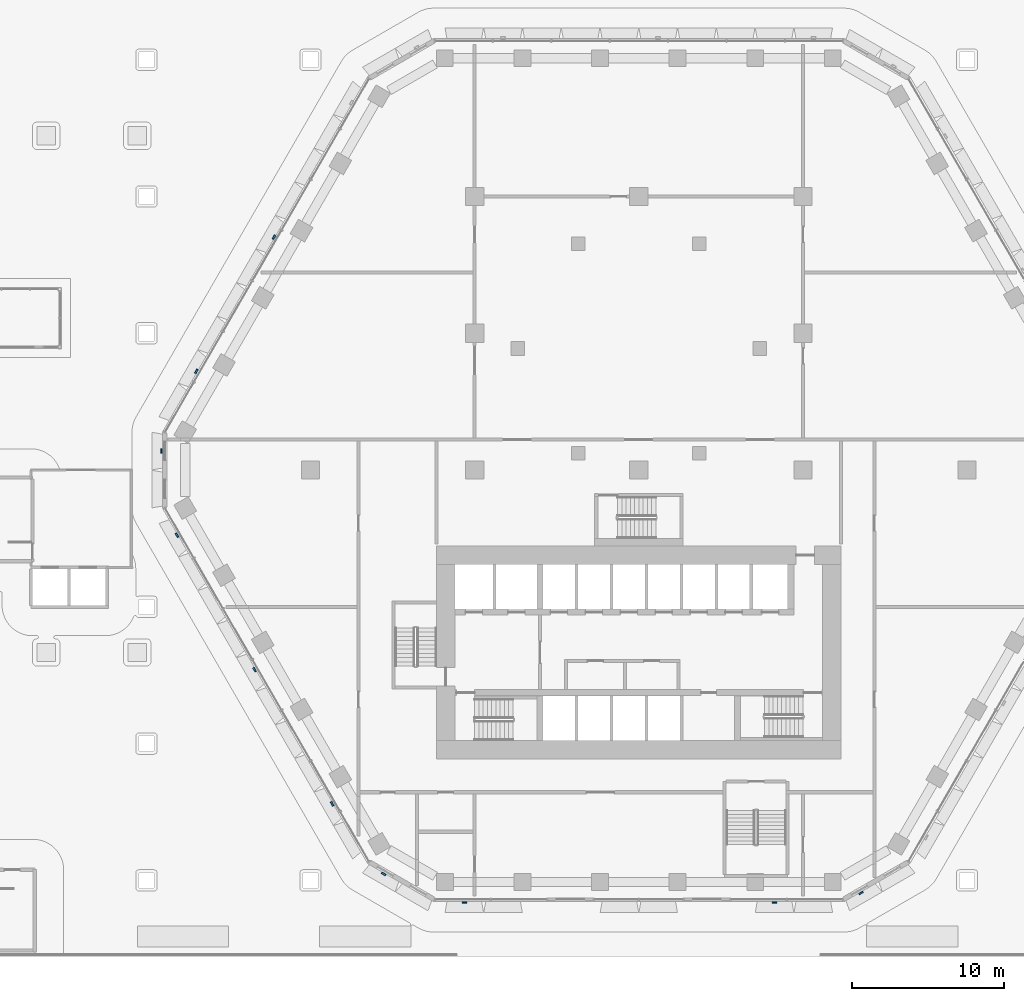
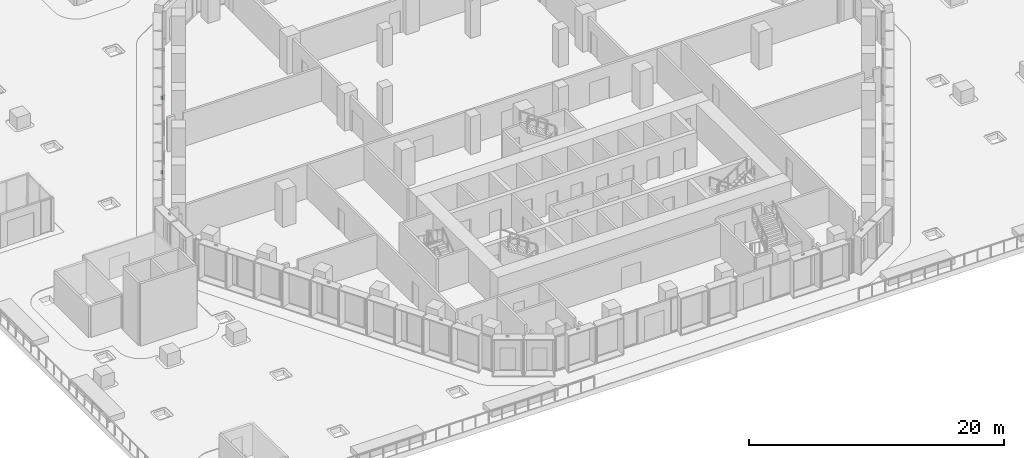
# One storey, part 26 of 38: 10 discrete accessories.
"""IFC4 building model written with IfcOpenShell, lengths in metres."""

from ifc_helpers import new_model, si_unit, direction, frame, origin, place, context, subcontext, project, spatial, polyline, outline, extrude, source, transform, mapped, material, type_object, type_shapes, element, save


model = new_model("IFC4")

# Units and contexts
model_context = context("Model", 3, precision=1e-05, world=origin(), true_north=direction((0.0, 1.0)))
body_context = subcontext(model_context, "Body", "Model", "MODEL_VIEW")
ifc_project = project(units=[si_unit("LENGTHUNIT", "METRE"), si_unit("AREAUNIT", "SQUARE_METRE"), si_unit("VOLUMEUNIT", "CUBIC_METRE"), si_unit("PLANEANGLEUNIT", "RADIAN"), si_unit("MASSUNIT", "GRAM", prefix="KILO")], contexts=[model_context])

# Site, building, storey
site_placement = place(None, origin())
site = spatial("IfcSite", under=ifc_project, at=site_placement, CompositionType="ELEMENT")
building_placement = place(site_placement, origin())
building = spatial("IfcBuilding", under=site, at=building_placement, Name="Beryl Residences", CompositionType="ELEMENT")
storey_placement = place(building_placement, frame((0.0, 0.0, 9.0)))
storey = spatial("IfcBuildingStorey", under=building, at=storey_placement, Name="L02", CompositionType="ELEMENT", Elevation=9.0)

# Discrete accessories
ifc_material = material(Name="Steel S355", Category="steel")
discrete_accessory_type = type_object("IfcDiscreteAccessoryType", Name="BR1 frame bracket 300 x 120 x 150 mm", PredefinedType="BRACKET", material=ifc_material)
shared_shape = source(origin(), body_context, "Body", "SweptSolid", [
    extrude(outline(polyline([(-0.14990234375, 0.0), (0.14990234375, 0.0), (0.14990234375, 0.1201171875), (-0.14990234375, 0.1201171875), (-0.14990234375, 0.0)])), origin(), (0.0, 0.0, 1.0), 0.14990234375),
])
type_shapes(discrete_accessory_type, [shared_shape])
for number, where, z_axis, x_axis, name in (
    (1, (-23.9580078125, 15.303955078125, 3.35009765625), (0.0, 0.0, 1.0), (0.5, 0.866025403784, 0.0), "BR1 bracket L02 NW 5"),
    (2, (-29.06103515625, 6.464111328125, 3.35009765625), (0.0, 0.0, 1.0), (0.5, 0.866025403784, 0.0), "BR1 bracket L02 NW 9"),
    (3, (-31.35009765625, 1.25, 3.35009765625), (0.0, 0.0, 1.0), (0.0, 1.0, 0.0), "BR1 bracket L02 NW-SW 1"),
    (4, (-30.3359375, -4.2548828125, 3.35009765625), (0.0, 0.0, 1.0), (-0.5, 0.866025403784, 0.0), "BR1 bracket L02 SW 1"),
    (5, (-25.23193359375, -13.095947265625, 3.35009765625), (0.0, 0.0, 1.0), (-0.5, 0.866025403784, 0.0), "BR1 bracket L02 SW 5"),
    (6, (-20.12890625, -21.93603515625, 3.35009765625), (0.0, 0.0, 1.0), (-0.5, 0.866025403784, 0.0), "BR1 bracket L02 SW 9"),
    (7, (-16.758056640625, -26.52490234375, 3.35009765625), (0.0, 0.0, 1.0), (-0.866025403784, 0.5, 0.0), "BR1 bracket L02 SW-S 1"),
    (8, (-11.48291015625, -28.39990234375, 3.35009765625), (0.0, 0.0, 1.0), (-1.0, 0.0, 0.0), "BR1 bracket L02 S 1"),
    (9, (8.93310546875, -28.39990234375, 3.35009765625), (0.0, 0.0, 1.0), (-1.0, 0.0, 0.0), "BR1 bracket L02 S 9"),
    (10, (14.593017578125, -27.77490234375, 3.35009765625), (0.0, 0.0, 1.0), (-0.866025403784, -0.5, 0.0), "BR1 bracket L02 S-SE 1"),
):
    element("IfcDiscreteAccessory", number, at=place(storey_placement, frame(where, z_axis=z_axis, x_axis=x_axis)), inside=storey, type_object=discrete_accessory_type, Name=name, PredefinedType="BRACKET", context=body_context, shape_type="MappedRepresentation", body=[
        mapped(shared_shape, transform((0.0, 0.0, 0.0))),
    ])

save(model, "model.ifc")
